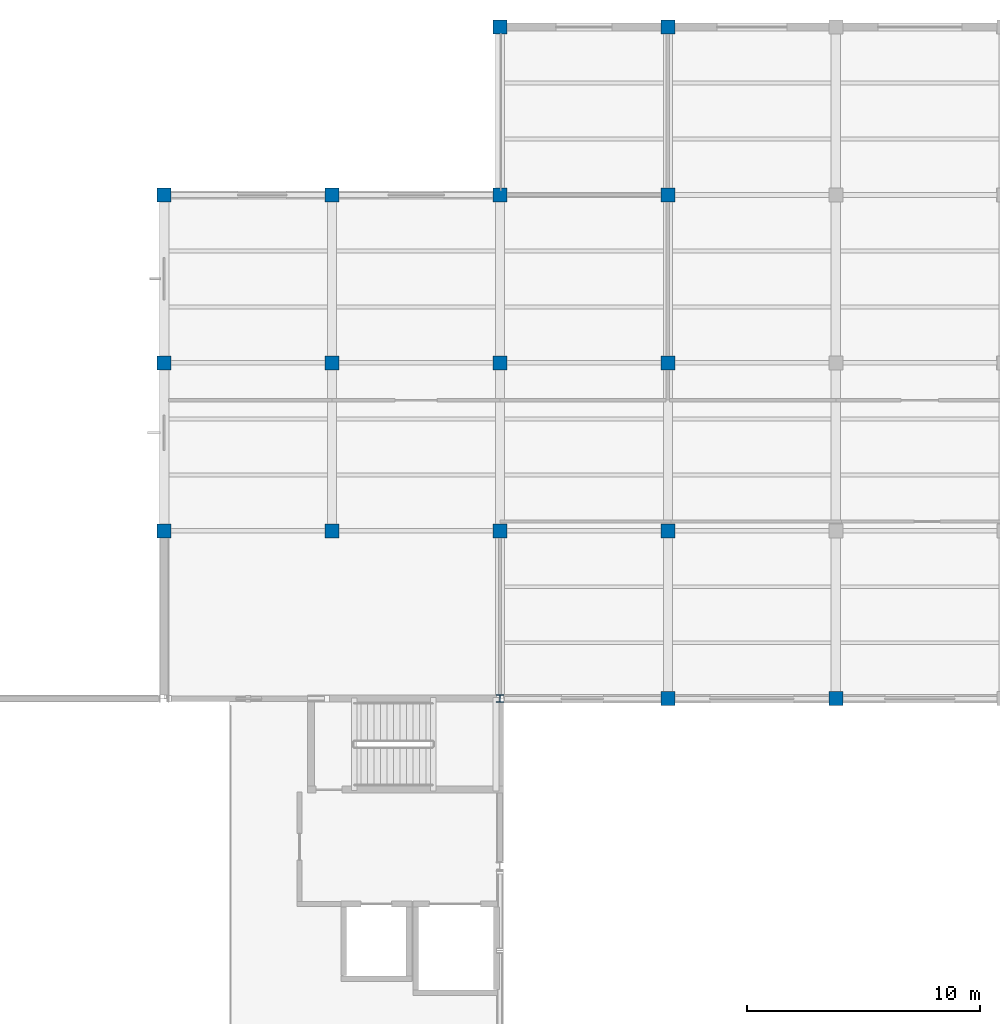
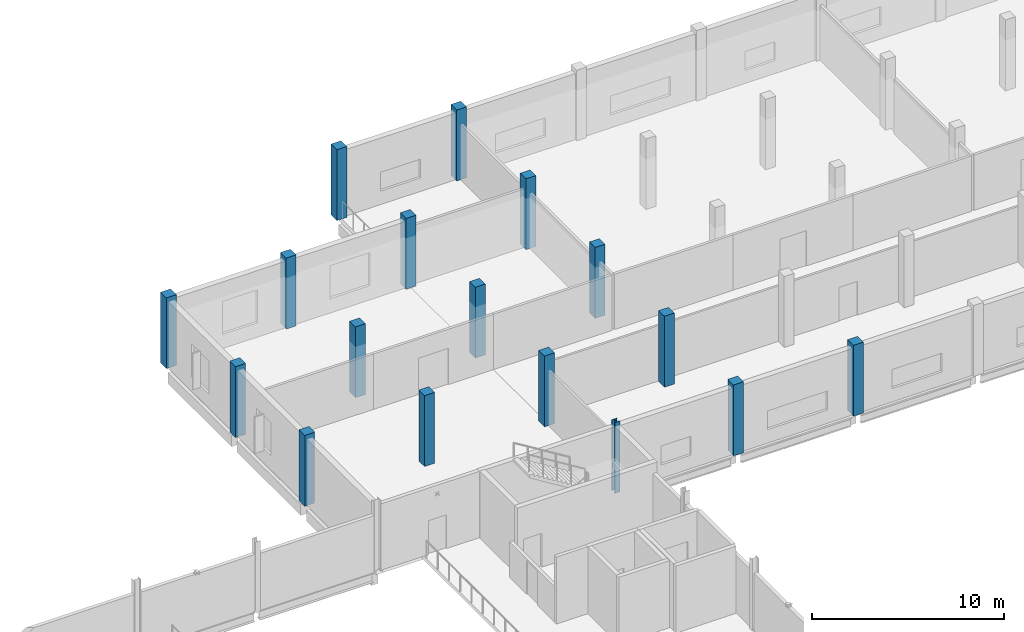
# One storey, part 3 of 76: 17 columns.
"""IFC4 building model written with IfcOpenShell, lengths in metres."""

from ifc_helpers import new_model, si_unit, direction, frame, origin, origin_2d, place, context, subcontext, project, spatial, rectangle, i_section, extrude, material, material_profile, profile_set, type_object, element, save


model = new_model("IFC4")

# Units and contexts
model_context = context("Model", 3, precision=1e-05, world=origin(), true_north=direction((0.0, 1.0)))
body_context = subcontext(model_context, "Body", "Model", "MODEL_VIEW")
ifc_project = project(units=[si_unit("LENGTHUNIT", "METRE"), si_unit("AREAUNIT", "SQUARE_METRE"), si_unit("VOLUMEUNIT", "CUBIC_METRE"), si_unit("PLANEANGLEUNIT", "RADIAN"), si_unit("MASSUNIT", "GRAM", prefix="KILO"), si_unit("THERMODYNAMICTEMPERATUREUNIT", "KELVIN"), si_unit("POWERUNIT", "WATT")], contexts=[model_context])

# Site, building, storey
site_placement = place(None, origin())
site = spatial("IfcSite", under=ifc_project, at=site_placement, CompositionType="ELEMENT")
building_placement = place(site_placement, origin())
building = spatial("IfcBuilding", under=site, at=building_placement, Name="Kaldorven Railside Theatre", CompositionType="ELEMENT")
storey_placement = place(building_placement, frame((0.0, 0.0, 14.39990234375)))
storey = spatial("IfcBuildingStorey", under=building, at=storey_placement, Name="L03", CompositionType="ELEMENT", Elevation=14.39990234375)

# Columns
ifc_material_1 = material(Name="Concrete C40/50", Category="concrete")
ifc_material_profile_1 = material_profile(ifc_material_1, rectangle(XDim=0.60009765625, YDim=0.60009765625, at=origin_2d()), Name="RC 600x600")
ifc_profile_set_1 = profile_set([ifc_material_profile_1], Name="Concrete C40/50")
column_type_1 = type_object("IfcColumnType", Name="COL-RC600", PredefinedType="COLUMN", material=ifc_profile_set_1)
for number, where, z_axis, x_axis, name in (
    (1, (130.39990234375, 112.800048828125, 0.0), (0.0, 0.0, 1.0), (0.0, 1.0, 0.0), "L03 Column CG-L03-130-112"),
    (2, (137.60009765625, 112.800048828125, 0.0), (0.0, 0.0, 1.0), (1.0, 0.0, 0.0), "L03 Column CG-L03-137-112"),
    (3, (108.800048828125, 120.0, 0.0), (0.0, 0.0, 1.0), (1.0, 0.0, 0.0), "L03 Column CG-L03-108-120"),
    (4, (116.0, 120.0, 0.0), (0.0, 0.0, 1.0), (1.0, 0.0, 0.0), "L03 Column CG-L03-116-120"),
    (5, (123.199951171875, 120.0, 0.0), (0.0, 0.0, 1.0), (0.0, 1.0, 0.0), "L03 Column CG-L03-123-120"),
    (6, (130.39990234375, 120.0, 0.0), (0.0, 0.0, 1.0), (1.0, 0.0, 0.0), "L03 Column CG-L03-130-120"),
    (7, (108.800048828125, 127.199951171875, 0.0), (0.0, 0.0, 1.0), (1.0, 0.0, 0.0), "L03 Column CG-L03-108-127"),
    (8, (116.0, 127.199951171875, 0.0), (0.0, 0.0, 1.0), (0.0, 1.0, 0.0), "L03 Column CG-L03-116-127"),
    (9, (123.199951171875, 127.199951171875, 0.0), (0.0, 0.0, 1.0), (1.0, 0.0, 0.0), "L03 Column CG-L03-123-127"),
    (10, (130.39990234375, 127.199951171875, 0.0), (0.0, 0.0, 1.0), (0.0, 1.0, 0.0), "L03 Column CG-L03-130-127"),
    (11, (108.800048828125, 134.39990234375, 0.0), (0.0, 0.0, 1.0), (0.0, 1.0, 0.0), "L03 Column CG-L03-108-134"),
    (12, (116.0, 134.39990234375, 0.0), (0.0, 0.0, 1.0), (1.0, 0.0, 0.0), "L03 Column CG-L03-116-134"),
    (13, (123.199951171875, 134.39990234375, 0.0), (0.0, 0.0, 1.0), (0.0, 1.0, 0.0), "L03 Column CG-L03-123-134"),
    (14, (130.39990234375, 134.39990234375, 0.0), (0.0, 0.0, 1.0), (1.0, 0.0, 0.0), "L03 Column CG-L03-130-134"),
    (15, (123.199951171875, 141.60009765625, 0.0), (0.0, 0.0, 1.0), (1.0, 0.0, 0.0), "L03 Column CG-L03-123-141"),
    (16, (130.39990234375, 141.60009765625, 0.0), (0.0, 0.0, 1.0), (1.0, 0.0, 0.0), "L03 Column CG-L03-130-141"),
):
    element("IfcColumn", number, at=place(storey_placement, frame(where, z_axis=z_axis, x_axis=x_axis)), inside=storey, type_object=column_type_1, Name=name, PredefinedType="COLUMN", context=body_context, shape_type="SweptSolid", body=[
        extrude(rectangle(XDim=0.60009765625, YDim=0.60009765625, at=origin_2d()), origin(), (0.0, 0.0, 1.0), 4.5),
    ])
ifc_material_2 = material(Name="Steel S355", Category="steel")
ifc_material_profile_2 = material_profile(ifc_material_2, i_section(OverallWidth=0.30908203125, OverallDepth=0.320556640625, WebThickness=0.013916015625, FlangeThickness=0.021728515625, at=origin_2d()), Name="UC 305x305x137")
ifc_profile_set_2 = profile_set([ifc_material_profile_2], Name="Steel S355")
column_type_2 = type_object("IfcColumnType", Name="COL-UC305", PredefinedType="COLUMN", material=ifc_profile_set_2)
column_placement = place(storey_placement, frame((123.199951171875, 112.800048828125, 0.0), z_axis=(0.0, 0.0, 1.0), x_axis=(1.0, 0.0, 0.0)))
element("IfcColumn", 17, at=column_placement, inside=storey, type_object=column_type_2, Name="L03 Column CG-L03-123-112", PredefinedType="COLUMN", context=body_context, shape_type="SweptSolid", body=[
    extrude(i_section(OverallWidth=0.30908203125, OverallDepth=0.320556640625, WebThickness=0.013916015625, FlangeThickness=0.021728515625, at=origin_2d()), origin(), (0.0, 0.0, 1.0), 4.5),
])

save(model, "model.ifc")
